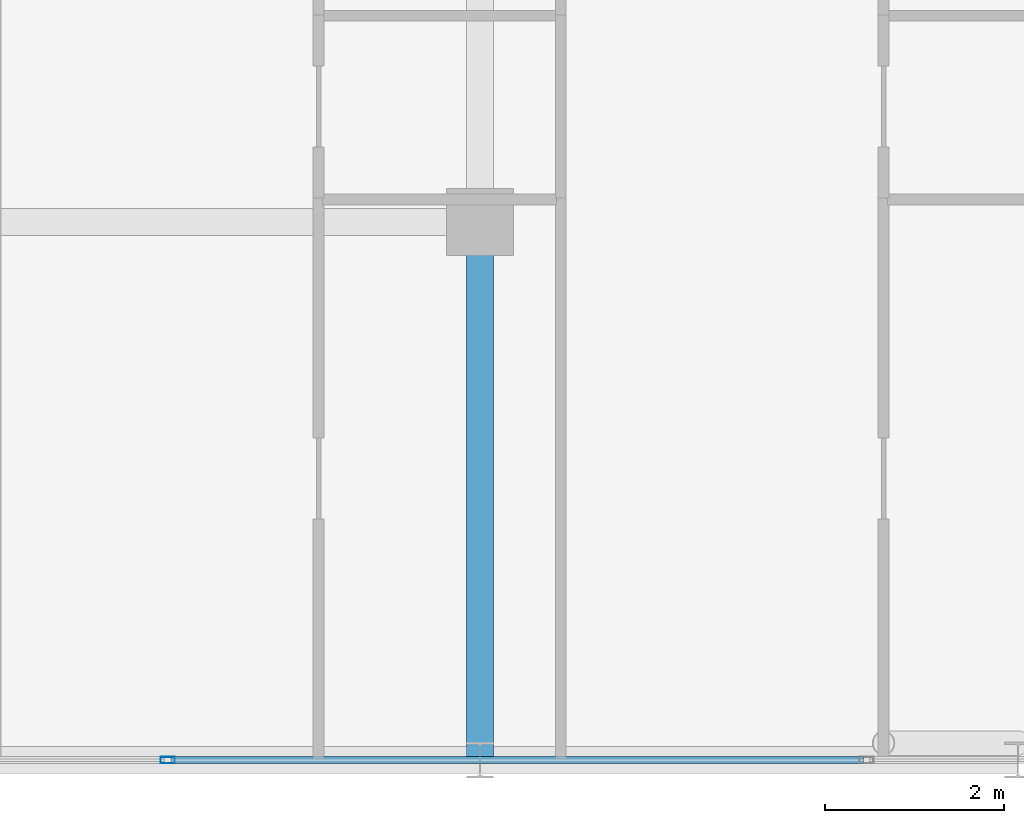
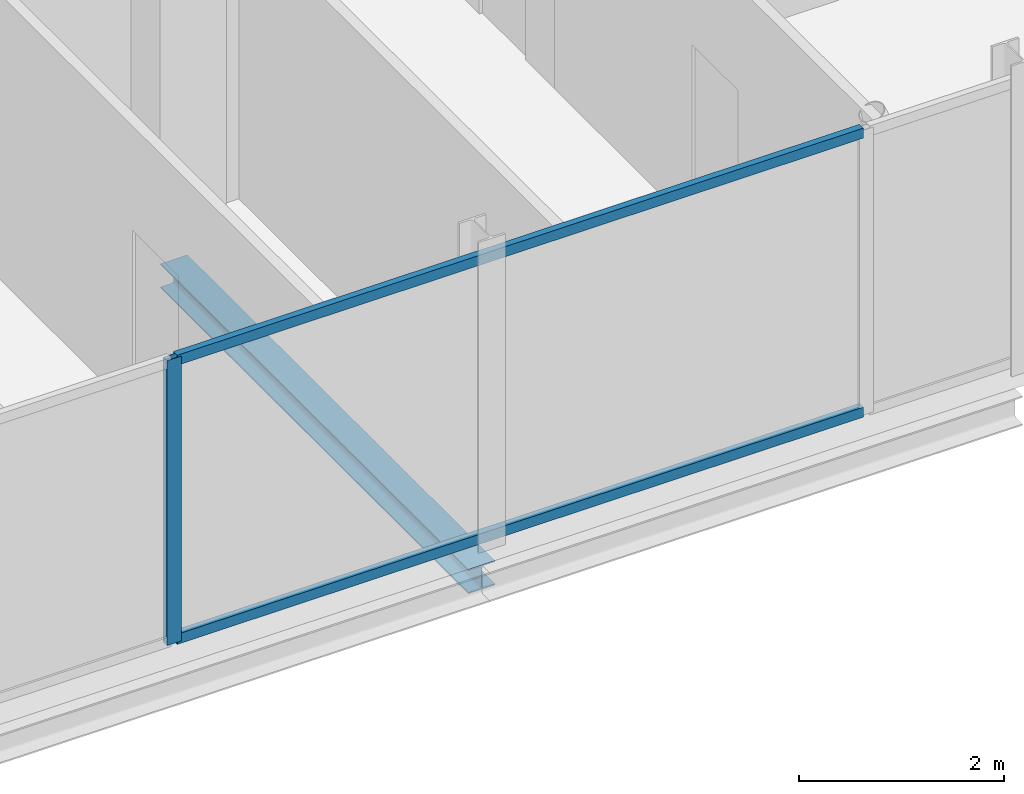
# One storey, part 8 of 31: 3 members, 1 beam, 1 element without a shape of its own.
"""IFC4 building model written with IfcOpenShell, lengths in metres."""

from ifc_helpers import new_model, si_unit, direction, frame, origin, origin_2d, place, context, subcontext, project, spatial, hollow_rectangle, i_section, extrude, material, layer, layer_set, material_profile, profile_set, type_object, element, aggregate, save


model = new_model("IFC4")

# Units and contexts
model_context = context("Model", 3, precision=1e-05, world=origin(), true_north=direction((0.0, 1.0)))
body_context = subcontext(model_context, "Body", "Model", "MODEL_VIEW")
ifc_project = project(units=[si_unit("LENGTHUNIT", "METRE"), si_unit("AREAUNIT", "SQUARE_METRE"), si_unit("VOLUMEUNIT", "CUBIC_METRE"), si_unit("PLANEANGLEUNIT", "RADIAN"), si_unit("MASSUNIT", "GRAM", prefix="KILO")], contexts=[model_context])

# Site, building, storey
site_placement = place(None, origin())
site = spatial("IfcSite", under=ifc_project, at=site_placement, CompositionType="ELEMENT")
building_placement = place(site_placement, origin())
building = spatial("IfcBuilding", under=site, at=building_placement, Name="Keshet Zoharim Tower", CompositionType="ELEMENT")
storey_placement = place(building_placement, frame((0.0, 0.0, 276.89990234375)))
storey = spatial("IfcBuildingStorey", under=building, at=storey_placement, Name="L69", CompositionType="ELEMENT", Elevation=276.89990234375)

# Beam
ifc_material_1 = material(Name="Steel S355", Category="steel")
ifc_material_profile_1 = material_profile(ifc_material_1, i_section(OverallWidth=0.300048828125, OverallDepth=0.2900390625, WebThickness=0.008544921875, FlangeThickness=0.013916015625, FilletRadius=0.027099609375, at=origin_2d()), Name="HEA300")
ifc_profile_set_1 = profile_set([ifc_material_profile_1], Name="Steel S355")
beam_type = type_object("IfcBeamType", Name="BM-PRI-HA300", PredefinedType="BEAM", material=ifc_profile_set_1)
beam_placement = place(storey_placement, frame((33.0, 6.699951171875, -0.454833984375), z_axis=(0.0, 1.0, 0.0), x_axis=(-1.0, 0.0, 0.0)))
element("IfcBeam", 1, at=beam_placement, inside=storey, type_object=beam_type, Name="L69 Primary Girder Y-004", PredefinedType="BEAM", context=body_context, shape_type="SweptSolid", body=[
    extrude(i_section(OverallWidth=0.300048828125, OverallDepth=0.2900390625, WebThickness=0.008544921875, FlangeThickness=0.013916015625, FilletRadius=0.027099609375, at=origin_2d()), origin(), (0.0, 0.0, 1.0), 6.0),
])

# Curtain wall, members
ifc_material_2 = material(Name="Aluminium 6063-T6", Category="aluminium")
ifc_layer = layer(ifc_material_2, 0.260009765625)
ifc_layer_set = layer_set([ifc_layer], Name="Aluminium 6063-T6")
curtain_wall_type = type_object("IfcCurtainWallType", Name="CW-SYS-06", PredefinedType="NOTDEFINED", material=ifc_layer_set)
curtain_wall_placement = place(storey_placement, origin())
curtain_wall = element("IfcCurtainWall", 2, at=curtain_wall_placement, inside=storey, type_object=curtain_wall_type, Name="L69 Unitised Curtain Wall 14 Part 3", PredefinedType="NOTDEFINED")
ifc_material_profile_2 = material_profile(ifc_material_2, hollow_rectangle(XDim=0.074951171875, YDim=0.159912109375, WallThickness=0.00390625, at=origin_2d()), Name="MUL-75x160")
ifc_profile_set_2 = profile_set([ifc_material_profile_2], Name="Aluminium 6063-T6")
member_type_1 = type_object("IfcMemberType", Name="CWM-M15", PredefinedType="MULLION", material=ifc_profile_set_2)
member_1_placement = place(storey_placement, frame((29.517578125, 6.699951171875, 0.0), z_axis=(0.0, 0.0, 1.0), x_axis=(0.0, -1.0, 0.0)))
member_1 = element("IfcMember", 3, at=member_1_placement, type_object=member_type_1, Name="CW-06 mullion 2", PredefinedType="MULLION", context=body_context, shape_type="SweptSolid", body=[
    extrude(hollow_rectangle(XDim=0.074951171875, YDim=0.159912109375, WallThickness=0.00390625, at=origin_2d()), origin(), (0.0, 0.0, 1.0), 3.39013671875),
])
ifc_material_profile_3 = material_profile(ifc_material_2, hollow_rectangle(XDim=0.074951171875, YDim=0.1201171875, WallThickness=0.00390625, at=origin_2d()), Name="TRN-75x120")
ifc_profile_set_3 = profile_set([ifc_material_profile_3], Name="Aluminium 6063-T6")
member_type_2 = type_object("IfcMemberType", Name="CWT-T12", PredefinedType="USERDEFINED", material=ifc_profile_set_3)
member_2_placement = place(storey_placement, frame((37.275146484375, 6.699951171875, 0.03515625), z_axis=(-1.0, 0.0, 0.0), x_axis=(0.0, -1.0, 0.0)))
member_2 = element("IfcMember", 4, at=member_2_placement, type_object=member_type_2, Name="CW-06 transom 1.1", ObjectType="TRANSOM", PredefinedType="USERDEFINED", context=body_context, shape_type="SweptSolid", body=[
    extrude(hollow_rectangle(XDim=0.074951171875, YDim=0.1201171875, WallThickness=0.00390625, at=origin_2d()), origin(), (0.0, 0.0, 1.0), 7.72265625),
])
member_3_placement = place(storey_placement, frame((37.275146484375, 6.699951171875, 3.35498046875), z_axis=(-1.0, 0.0, 0.0), x_axis=(0.0, -1.0, 0.0)))
member_3 = element("IfcMember", 5, at=member_3_placement, type_object=member_type_2, Name="CW-06 transom 1.2", ObjectType="TRANSOM", PredefinedType="USERDEFINED", context=body_context, shape_type="SweptSolid", body=[
    extrude(hollow_rectangle(XDim=0.074951171875, YDim=0.1201171875, WallThickness=0.00390625, at=origin_2d()), origin(), (0.0, 0.0, 1.0), 7.72265625),
])
aggregate(curtain_wall, [member_1, member_2, member_3])

save(model, "model.ifc")
